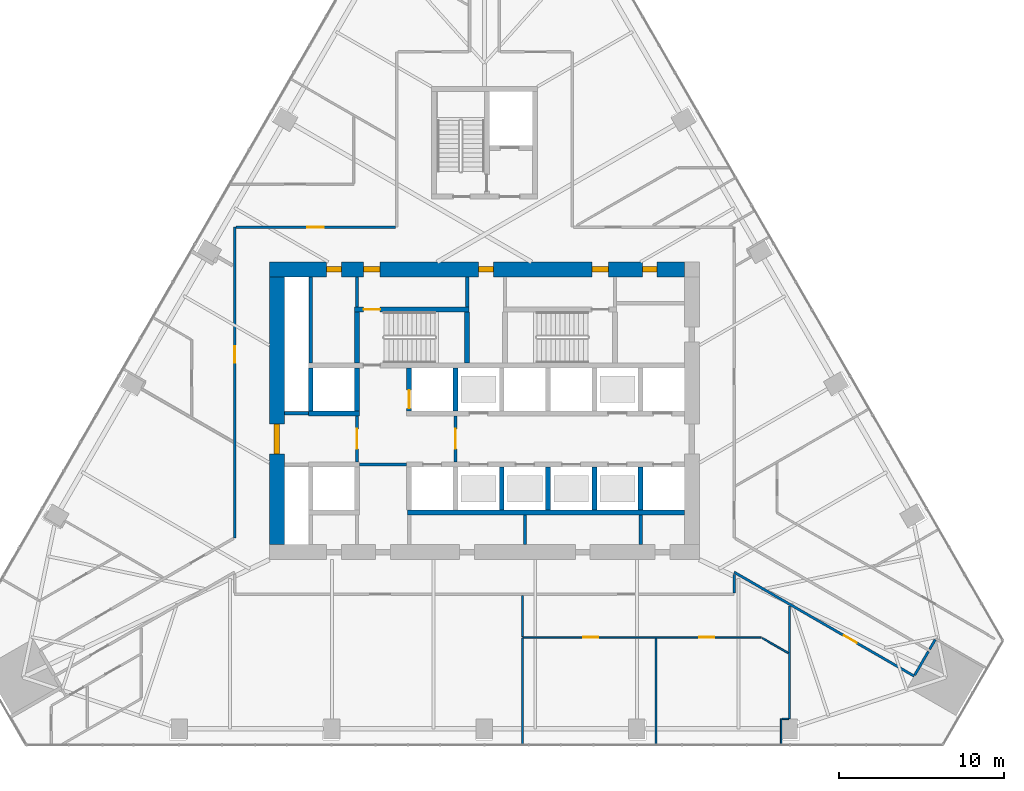
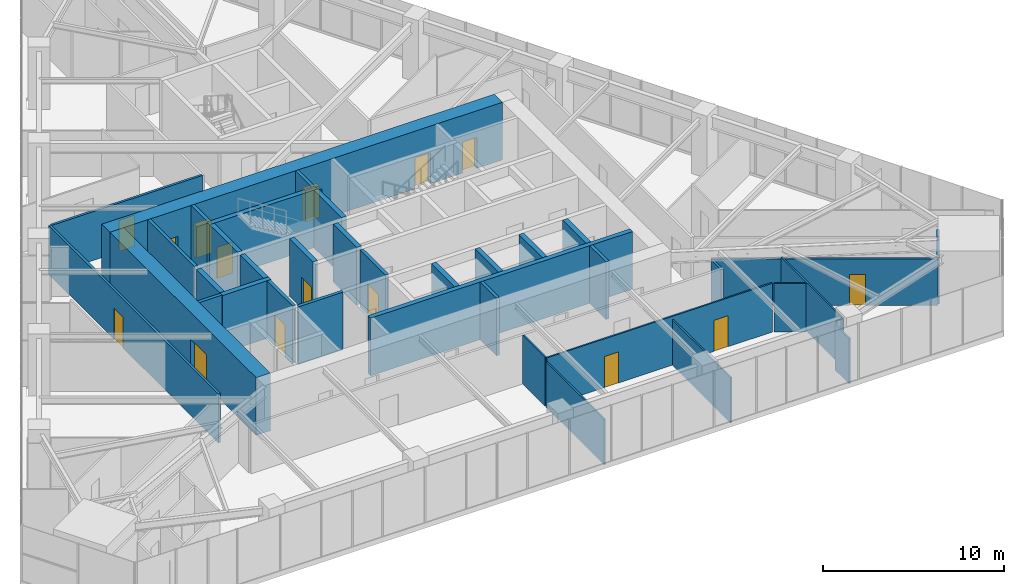
# One storey, part 14 of 19: 38 walls, 15 doors, 15 openings.
"""IFC4 building model written with IfcOpenShell, lengths in metres."""

from ifc_helpers import new_model, si_unit, direction, frame, frame_2d, origin, place, context, subcontext, project, spatial, rectangle, extrude, material, layer, layer_set, type_object, element, fill, save


model = new_model("IFC4")

# Units and contexts
model_context = context("Model", 3, precision=1e-05, world=origin(), true_north=direction((0.0, 1.0)))
body_context = subcontext(model_context, "Body", "Model", "MODEL_VIEW")
ifc_project = project(units=[si_unit("LENGTHUNIT", "METRE"), si_unit("AREAUNIT", "SQUARE_METRE"), si_unit("VOLUMEUNIT", "CUBIC_METRE"), si_unit("PLANEANGLEUNIT", "RADIAN"), si_unit("MASSUNIT", "GRAM", prefix="KILO")], contexts=[model_context])

# Site, building, storey
site_placement = place(None, origin())
site = spatial("IfcSite", under=ifc_project, at=site_placement, CompositionType="ELEMENT")
building_placement = place(site_placement, origin())
building = spatial("IfcBuilding", under=site, at=building_placement, Name="Firuza Gate Tower and Library", CompositionType="ELEMENT")
storey_placement = place(building_placement, frame((0.0, 0.0, 136.60009765625)))
storey = spatial("IfcBuildingStorey", under=building, at=storey_placement, Name="L31", CompositionType="ELEMENT", Elevation=136.60009765625)

# Walls
ifc_material_1 = material(Name="Plasterboard on steel studs", Category="steel")
ifc_layer_1 = layer(ifc_material_1, 0.199951171875)
ifc_layer_set_1 = layer_set([ifc_layer_1], Name="Core partition 200 EI 120")
wall_type_1 = type_object("IfcWallType", Name="Core partition 200 EI 120", PredefinedType="PARTITIONING", material=ifc_layer_set_1)
wall_1_placement = place(storey_placement, frame((62.89990234375, 74.85009765625, 0.0), z_axis=(0.0, 0.0, 1.0), x_axis=(1.0, 0.0, 0.0)))
element("IfcWall", 1, at=wall_1_placement, inside=storey, type_object=wall_type_1, Name="Core partition L31 3", PredefinedType="PARTITIONING", context=body_context, shape_type="SweptSolid", body=[
    extrude(rectangle(XDim=1.4501953125, YDim=0.199951171875, at=frame_2d((0.72509765625, 0.0))), origin(), (0.0, 0.0, 1.0), 3.89990234375),
])
wall_2_placement = place(storey_placement, frame((64.5, 77.89990234375, 0.0), z_axis=(0.0, 0.0, 1.0), x_axis=(0.0, 1.0, 0.0)))
element("IfcWall", 2, at=wall_2_placement, inside=storey, type_object=wall_type_1, Name="Core partition L31 6", PredefinedType="PARTITIONING", context=body_context, shape_type="SweptSolid", body=[
    extrude(rectangle(XDim=5.2001953125, YDim=0.199951171875, at=frame_2d((2.60009765625, 0.0))), origin(), (0.0, 0.0, 1.0), 3.89990234375),
])
for number, where, z_axis, x_axis, name in (
    (3, (77.449951171875, 66.89990234375, 0.0), (0.0, 0.0, 1.0), (0.0, 1.0, 0.0), "Core partition L31 14"),
    (4, (84.449951171875, 66.89990234375, 0.0), (0.0, 0.0, 1.0), (0.0, 1.0, 0.0), "Core partition L31 16"),
):
    element("IfcWall", number, at=place(storey_placement, frame(where, z_axis=z_axis, x_axis=x_axis)), inside=storey, type_object=wall_type_1, Name=name, PredefinedType="PARTITIONING", context=body_context, shape_type="SweptSolid", body=[
        extrude(rectangle(XDim=1.800048828125, YDim=0.199951171875, at=frame_2d((0.89990234375, 0.0))), origin(), (0.0, 0.0, 1.0), 3.89990234375),
    ])
ifc_material_2 = material(Name="Plasterboard on steel studs", Category="steel")
ifc_layer_2 = layer(ifc_material_2, 0.199951171875)
ifc_layer_set_2 = layer_set([ifc_layer_2], Name="Core partition 200 EI 60")
wall_type_2 = type_object("IfcWallType", Name="Core partition 200 EI 60", PredefinedType="PARTITIONING", material=ifc_layer_set_2)
wall_3_placement = place(storey_placement, frame((67.449951171875, 71.75, 0.0), z_axis=(0.0, 0.0, 1.0), x_axis=(1.0, 0.0, 0.0)))
element("IfcWall", 5, at=wall_3_placement, inside=storey, type_object=wall_type_2, Name="Core partition L31 2", PredefinedType="PARTITIONING", context=body_context, shape_type="SweptSolid", body=[
    extrude(rectangle(XDim=2.85009765625, YDim=0.199951171875, at=frame_2d((1.425048828125, 0.0))), origin(), (0.0, 0.0, 1.0), 3.89990234375),
])

# Wall, opening, door
wall_4_placement = place(storey_placement, frame((67.300048828125, 71.89990234375, 0.0), z_axis=(0.0, 0.0, 1.0), x_axis=(0.0, 1.0, 0.0)))
wall_4 = element("IfcWall", 6, at=wall_4_placement, inside=storey, type_object=wall_type_2, Name="Core partition L31 8", PredefinedType="PARTITIONING", context=body_context, shape_type="SweptSolid", body=[
    extrude(rectangle(XDim=2.800048828125, YDim=0.199951171875, at=frame_2d((1.39990234375, 0.0))), origin(), (0.0, 0.0, 1.0), 3.89990234375),
])
opening_1_placement = place(wall_4_placement, frame((0.800048828125, 0.0, 0.0)))
opening_1 = element("IfcOpeningElement", 7, at=opening_1_placement, cuts=wall_4, Name="Opening L31-K21", PredefinedType="OPENING", context=body_context, shape_type="SweptSolid", body=[
    extrude(rectangle(XDim=1.199951171875, YDim=2.10009765625, at=frame_2d((0.60009765625, 1.050048828125))), frame((0.0, 0.10986328125, 0.0), z_axis=(0.0, -1.0, 0.0), x_axis=(1.0, 0.0, 0.0)), (0.0, 0.0, 1.0), 0.219970703125),
])
ifc_material_3 = material(Name="Steel", Category="steel")
door_type_1 = type_object("IfcDoorType", Name="Fire door 1200x2100 FD90S", OperationType="NOTDEFINED", PredefinedType="DOOR", material=ifc_material_3)
door_1_placement = place(opening_1_placement, origin())
door_1 = element("IfcDoor", 8, at=door_1_placement, inside=storey, type_object=door_type_1, Name="Door L31-K21", OperationType="SINGLE_SWING_RIGHT", OverallHeight=2.10009765625, OverallWidth=1.199951171875, PredefinedType="DOOR", context=body_context, shape_type="SweptSolid", body=[
    extrude(rectangle(XDim=1.199951171875, YDim=2.10009765625, at=frame_2d((0.60009765625, 1.050048828125))), frame((0.0, 0.02490234375, 0.0), z_axis=(0.0, -1.0, 0.0), x_axis=(1.0, 0.0, 0.0)), (0.0, 0.0, 1.0), 0.050048828125),
])
fill(opening_1, door_1)

# Wall
wall_5_placement = place(storey_placement, frame((67.300048828125, 81.280029296875, 0.0), z_axis=(0.0, 0.0, 1.0), x_axis=(0.0, 1.0, 0.0)))
element("IfcWall", 9, at=wall_5_placement, inside=storey, type_object=wall_type_2, Name="Core partition L31 9", PredefinedType="PARTITIONING", context=body_context, shape_type="SweptSolid", body=[
    extrude(rectangle(XDim=1.820068359375, YDim=0.199951171875, at=frame_2d((0.91015625, 0.0))), origin(), (0.0, 0.0, 1.0), 3.89990234375),
])

# Wall, opening, door
wall_6_placement = place(storey_placement, frame((73.25, 71.89990234375, 0.0), z_axis=(0.0, 0.0, 1.0), x_axis=(0.0, 1.0, 0.0)))
wall_6 = element("IfcWall", 10, at=wall_6_placement, inside=storey, type_object=wall_type_2, Name="Core partition L31 11", PredefinedType="PARTITIONING", context=body_context, shape_type="SweptSolid", body=[
    extrude(rectangle(XDim=2.800048828125, YDim=0.199951171875, at=frame_2d((1.39990234375, 0.0))), origin(), (0.0, 0.0, 1.0), 3.89990234375),
])
opening_2_placement = place(wall_6_placement, frame((0.800048828125, 0.0, 0.0)))
opening_2 = element("IfcOpeningElement", 11, at=opening_2_placement, cuts=wall_6, Name="Opening L31-K20", PredefinedType="OPENING", context=body_context, shape_type="SweptSolid", body=[
    extrude(rectangle(XDim=1.199951171875, YDim=2.10009765625, at=frame_2d((0.60009765625, 1.050048828125))), frame((0.0, 0.10986328125, 0.0), z_axis=(0.0, -1.0, 0.0), x_axis=(1.0, 0.0, 0.0)), (0.0, 0.0, 1.0), 0.219970703125),
])
door_2_placement = place(opening_2_placement, origin())
door_2 = element("IfcDoor", 12, at=door_2_placement, inside=storey, type_object=door_type_1, Name="Door L31-K20", OperationType="SINGLE_SWING_LEFT", OverallHeight=2.10009765625, OverallWidth=1.199951171875, PredefinedType="DOOR", context=body_context, shape_type="SweptSolid", body=[
    extrude(rectangle(XDim=1.199951171875, YDim=2.10009765625, at=frame_2d((0.60009765625, 1.050048828125))), frame((0.0, 0.02490234375, 0.0), z_axis=(0.0, -1.0, 0.0), x_axis=(1.0, 0.0, 0.0)), (0.0, 0.0, 1.0), 0.050048828125),
])
fill(opening_2, door_2)

# Walls
wall_7_placement = place(storey_placement, frame((73.9599609375, 81.280029296875, 0.0), z_axis=(0.0, 0.0, 1.0), x_axis=(0.0, 1.0, 0.0)))
element("IfcWall", 13, at=wall_7_placement, inside=storey, type_object=wall_type_2, Name="Core partition L31 12", PredefinedType="PARTITIONING", context=body_context, shape_type="SweptSolid", body=[
    extrude(rectangle(XDim=1.820068359375, YDim=0.199951171875, at=frame_2d((0.91015625, 0.0))), origin(), (0.0, 0.0, 1.0), 3.89990234375),
])
ifc_material_4 = material(Name="Concrete C80/95", Category="concrete")
ifc_layer_3 = layer(ifc_material_4, 0.300048828125)
ifc_layer_set_3 = layer_set([ifc_layer_3], Name="Core wall 300 C80/95")
wall_type_3 = type_object("IfcWallType", Name="Core wall 300 C80/95", PredefinedType="SHEAR", material=ifc_layer_set_3)
wall_8_placement = place(storey_placement, frame((70.35009765625, 68.85009765625, 0.0), z_axis=(0.0, 0.0, 1.0), x_axis=(1.0, 0.0, 0.0)))
element("IfcWall", 14, at=wall_8_placement, inside=storey, type_object=wall_type_3, Name="Core wall L31 6", PredefinedType="SHEAR", context=body_context, shape_type="SweptSolid", body=[
    extrude(rectangle(XDim=16.75, YDim=0.300048828125, at=frame_2d((8.375, 0.0))), origin(), (0.0, 0.0, 1.0), 3.89990234375),
])
wall_9_placement = place(storey_placement, frame((64.35009765625, 74.85009765625, 0.0), z_axis=(0.0, 0.0, 1.0), x_axis=(1.0, 0.0, 0.0)))
element("IfcWall", 15, at=wall_9_placement, inside=storey, type_object=wall_type_3, Name="Core wall L31 9", PredefinedType="SHEAR", context=body_context, shape_type="SweptSolid", body=[
    extrude(rectangle(XDim=3.099853515625, YDim=0.300048828125, at=frame_2d((1.5498046875, 0.0))), origin(), (0.0, 0.0, 1.0), 3.89990234375),
])
for number, where, z_axis, x_axis, name in (
    (16, (64.5, 75.0, 0.0), (0.0, 0.0, 1.0), (0.0, 1.0, 0.0), "Core wall L31 12"),
    (17, (67.300048828125, 75.0, 0.0), (0.0, 0.0, 1.0), (0.0, 1.0, 0.0), "Core wall L31 14"),
):
    element("IfcWall", number, at=place(storey_placement, frame(where, z_axis=z_axis, x_axis=x_axis)), inside=storey, type_object=wall_type_3, Name=name, PredefinedType="SHEAR", context=body_context, shape_type="SweptSolid", body=[
        extrude(rectangle(XDim=2.60009765625, YDim=0.300048828125, at=frame_2d((1.300048828125, 0.0))), origin(), (0.0, 0.0, 1.0), 3.89990234375),
    ])

# Wall, opening, door
wall_10_placement = place(storey_placement, frame((70.449951171875, 75.0, 0.0), z_axis=(0.0, 0.0, 1.0), x_axis=(0.0, 1.0, 0.0)))
wall_10 = element("IfcWall", 18, at=wall_10_placement, inside=storey, type_object=wall_type_3, Name="Core wall L31 16", PredefinedType="SHEAR", context=body_context, shape_type="SweptSolid", body=[
    extrude(rectangle(XDim=2.60009765625, YDim=0.300048828125, at=frame_2d((1.300048828125, 0.0))), origin(), (0.0, 0.0, 1.0), 3.89990234375),
])
opening_3_placement = place(wall_10_placement, frame((0.14990234375, 0.0, 0.0)))
opening_3 = element("IfcOpeningElement", 19, at=opening_3_placement, cuts=wall_10, Name="Opening LD-FF2-L31", PredefinedType="OPENING", context=body_context, shape_type="SweptSolid", body=[
    extrude(rectangle(XDim=1.10009765625, YDim=2.10009765625, at=frame_2d((0.550048828125, 1.050048828125))), frame((0.0, 0.16015625, 0.0), z_axis=(0.0, -1.0, 0.0), x_axis=(1.0, 0.0, 0.0)), (0.0, 0.0, 1.0), 0.320068359375),
])
ifc_material_5 = material(Name="Stainless steel", Category="steel")
door_type_2 = type_object("IfcDoorType", Name="Lift landing door 1100x2100", OperationType="DOUBLE_DOOR_SLIDING", PredefinedType="DOOR", material=ifc_material_5)
door_3_placement = place(opening_3_placement, origin())
door_3 = element("IfcDoor", 20, at=door_3_placement, inside=storey, type_object=door_type_2, Name="Landing door FF2 L31", OperationType="DOUBLE_DOOR_SLIDING", OverallHeight=2.10009765625, OverallWidth=1.10009765625, PredefinedType="DOOR", context=body_context, shape_type="SweptSolid", body=[
    extrude(rectangle(XDim=1.10009765625, YDim=2.10009765625, at=frame_2d((0.550048828125, 1.050048828125))), frame((0.0, 0.02490234375, 0.0), z_axis=(0.0, -1.0, 0.0), x_axis=(1.0, 0.0, 0.0)), (0.0, 0.0, 1.0), 0.050048828125),
])
fill(opening_3, door_3)

# Walls
for number, where, z_axis, x_axis, name in (
    (21, (73.25, 75.0, 0.0), (0.0, 0.0, 1.0), (0.0, 1.0, 0.0), "Core wall L31 18"),
    (22, (76.050048828125, 69.0, 0.0), (0.0, 0.0, 1.0), (0.0, 1.0, 0.0), "Core wall L31 19"),
    (23, (78.85009765625, 69.0, 0.0), (0.0, 0.0, 1.0), (0.0, 1.0, 0.0), "Core wall L31 21"),
    (24, (81.64990234375, 69.0, 0.0), (0.0, 0.0, 1.0), (0.0, 1.0, 0.0), "Core wall L31 23"),
    (25, (84.449951171875, 69.0, 0.0), (0.0, 0.0, 1.0), (0.0, 1.0, 0.0), "Core wall L31 25"),
):
    element("IfcWall", number, at=place(storey_placement, frame(where, z_axis=z_axis, x_axis=x_axis)), inside=storey, type_object=wall_type_3, Name=name, PredefinedType="SHEAR", context=body_context, shape_type="SweptSolid", body=[
        extrude(rectangle(XDim=2.60009765625, YDim=0.300048828125, at=frame_2d((1.300048828125, 0.0))), origin(), (0.0, 0.0, 1.0), 3.89990234375),
    ])

# Wall, opening, door
wall_11_placement = place(storey_placement, frame((67.14990234375, 81.1298828125, 0.0), z_axis=(0.0, 0.0, 1.0), x_axis=(1.0, 0.0, 0.0)))
wall_11 = element("IfcWall", 26, at=wall_11_placement, inside=storey, type_object=wall_type_3, Name="Core wall L31 28", PredefinedType="SHEAR", context=body_context, shape_type="SweptSolid", body=[
    extrude(rectangle(XDim=6.91015625, YDim=0.300048828125, at=frame_2d((3.455078125, 0.0))), origin(), (0.0, 0.0, 1.0), 3.89990234375),
])
opening_4_placement = place(wall_11_placement, frame((0.544921875, 0.0, 0.0)))
opening_4 = element("IfcOpeningElement", 27, at=opening_4_placement, cuts=wall_11, Name="Opening L31-K13", PredefinedType="OPENING", context=body_context, shape_type="SweptSolid", body=[
    extrude(rectangle(XDim=1.0, YDim=2.10009765625, at=frame_2d((0.5, 1.050048828125))), frame((0.0, 0.16015625, 0.0), z_axis=(0.0, -1.0, 0.0), x_axis=(1.0, 0.0, 0.0)), (0.0, 0.0, 1.0), 0.320068359375),
])
ifc_material_6 = material(Name="Steel", Category="steel")
door_type_3 = type_object("IfcDoorType", Name="Fire door 1000x2100 FD90", OperationType="NOTDEFINED", PredefinedType="DOOR", material=ifc_material_6)
door_4_placement = place(opening_4_placement, origin())
door_4 = element("IfcDoor", 28, at=door_4_placement, inside=storey, type_object=door_type_3, Name="Door L31-K13", OperationType="SINGLE_SWING_RIGHT", OverallHeight=2.10009765625, OverallWidth=1.0, PredefinedType="DOOR", context=body_context, shape_type="SweptSolid", body=[
    extrude(rectangle(XDim=1.0, YDim=2.10009765625, at=frame_2d((0.5, 1.050048828125))), frame((0.0, 0.02490234375, 0.0), z_axis=(0.0, -1.0, 0.0), x_axis=(1.0, 0.0, 0.0)), (0.0, 0.0, 1.0), 0.050048828125),
])
fill(opening_4, door_4)

# Walls
for number, where, z_axis, x_axis, name in (
    (29, (67.300048828125, 77.89990234375, 0.0), (0.0, 0.0, 1.0), (0.0, 1.0, 0.0), "Core wall L31 30"),
    (30, (73.9599609375, 77.89990234375, 0.0), (0.0, 0.0, 1.0), (0.0, 1.0, 0.0), "Core wall L31 31"),
):
    element("IfcWall", number, at=place(storey_placement, frame(where, z_axis=z_axis, x_axis=x_axis)), inside=storey, type_object=wall_type_3, Name=name, PredefinedType="SHEAR", context=body_context, shape_type="SweptSolid", body=[
        extrude(rectangle(XDim=3.080078125, YDim=0.300048828125, at=frame_2d((1.5400390625, 0.0))), origin(), (0.0, 0.0, 1.0), 3.89990234375),
    ])

# Wall, openings, doors
ifc_material_7 = material(Name="Concrete C80/95", Category="concrete")
ifc_layer_4 = layer(ifc_material_7, 0.89990234375)
ifc_layer_set_4 = layer_set([ifc_layer_4], Name="Core wall 900 C80/95")
wall_type_4 = type_object("IfcWallType", Name="Core wall 900 C80/95", PredefinedType="SHEAR", material=ifc_layer_set_4)
wall_12_placement = place(storey_placement, frame((62.0, 83.550048828125, 0.0), z_axis=(0.0, 0.0, 1.0), x_axis=(1.0, 0.0, 0.0)))
wall_12 = element("IfcWall", 31, at=wall_12_placement, inside=storey, type_object=wall_type_4, Name="Core wall L31 2", PredefinedType="SHEAR", context=body_context, shape_type="SweptSolid", body=[
    extrude(rectangle(XDim=25.10009765625, YDim=0.89990234375, at=frame_2d((12.550048828125, 0.0))), origin(), (0.0, 0.0, 1.0), 3.89990234375),
])
opening_5_placement = place(wall_12_placement, frame((5.695068359375, 0.0, 0.0)))
opening_5 = element("IfcOpeningElement", 32, at=opening_5_placement, cuts=wall_12, Name="Opening L31-K14", PredefinedType="OPENING", context=body_context, shape_type="SweptSolid", body=[
    extrude(rectangle(XDim=1.0, YDim=2.10009765625, at=frame_2d((0.5, 1.050048828125))), frame((0.0, 0.4599609375, 0.0), z_axis=(0.0, -1.0, 0.0), x_axis=(1.0, 0.0, 0.0)), (0.0, 0.0, 1.0), 0.919921875),
])
opening_6_placement = place(wall_12_placement, frame((19.5048828125, 0.0, 0.0)))
opening_6 = element("IfcOpeningElement", 33, at=opening_6_placement, cuts=wall_12, Name="Opening L31-K16", PredefinedType="OPENING", context=body_context, shape_type="SweptSolid", body=[
    extrude(rectangle(XDim=1.0, YDim=2.10009765625, at=frame_2d((0.5, 1.050048828125))), frame((0.0, 0.4599609375, 0.0), z_axis=(0.0, -1.0, 0.0), x_axis=(1.0, 0.0, 0.0)), (0.0, 0.0, 1.0), 0.919921875),
])
opening_7_placement = place(wall_12_placement, frame((3.449951171875, 0.0, 0.0)))
opening_7 = element("IfcOpeningElement", 34, at=opening_7_placement, cuts=wall_12, Name="Opening L31-K29", PredefinedType="OPENING", context=body_context, shape_type="SweptSolid", body=[
    extrude(rectangle(XDim=0.89990234375, YDim=2.10009765625, at=frame_2d((0.449951171875, 1.050048828125))), frame((0.0, 0.4599609375, 0.0), z_axis=(0.0, -1.0, 0.0), x_axis=(1.0, 0.0, 0.0)), (0.0, 0.0, 1.0), 0.919921875),
])
opening_8_placement = place(wall_12_placement, frame((12.64990234375, 0.0, 0.0)))
opening_8 = element("IfcOpeningElement", 35, at=opening_8_placement, cuts=wall_12, Name="Opening L31-K30", PredefinedType="OPENING", context=body_context, shape_type="SweptSolid", body=[
    extrude(rectangle(XDim=0.89990234375, YDim=2.10009765625, at=frame_2d((0.449951171875, 1.050048828125))), frame((0.0, 0.4599609375, 0.0), z_axis=(0.0, -1.0, 0.0), x_axis=(1.0, 0.0, 0.0)), (0.0, 0.0, 1.0), 0.919921875),
])
opening_9_placement = place(wall_12_placement, frame((22.550048828125, 0.0, 0.0)))
opening_9 = element("IfcOpeningElement", 36, at=opening_9_placement, cuts=wall_12, Name="Opening L31-K32", PredefinedType="OPENING", context=body_context, shape_type="SweptSolid", body=[
    extrude(rectangle(XDim=0.89990234375, YDim=2.10009765625, at=frame_2d((0.449951171875, 1.050048828125))), frame((0.0, 0.4599609375, 0.0), z_axis=(0.0, -1.0, 0.0), x_axis=(1.0, 0.0, 0.0)), (0.0, 0.0, 1.0), 0.919921875),
])
door_5_placement = place(opening_5_placement, origin())
door_5 = element("IfcDoor", 37, at=door_5_placement, inside=storey, type_object=door_type_3, Name="Door L31-K14", OperationType="SINGLE_SWING_LEFT", OverallHeight=2.10009765625, OverallWidth=1.0, PredefinedType="DOOR", context=body_context, shape_type="SweptSolid", body=[
    extrude(rectangle(XDim=1.0, YDim=2.10009765625, at=frame_2d((0.5, 1.050048828125))), frame((0.0, 0.169921875, 0.0), z_axis=(0.0, -1.0, 0.0), x_axis=(1.0, 0.0, 0.0)), (0.0, 0.0, 1.0), 0.33984375),
])
fill(opening_5, door_5)
door_6_placement = place(opening_6_placement, origin())
door_6 = element("IfcDoor", 38, at=door_6_placement, inside=storey, type_object=door_type_3, Name="Door L31-K16", OperationType="SINGLE_SWING_LEFT", OverallHeight=2.10009765625, OverallWidth=1.0, PredefinedType="DOOR", context=body_context, shape_type="SweptSolid", body=[
    extrude(rectangle(XDim=1.0, YDim=2.10009765625, at=frame_2d((0.5, 1.050048828125))), frame((0.0, 0.169921875, 0.0), z_axis=(0.0, -1.0, 0.0), x_axis=(1.0, 0.0, 0.0)), (0.0, 0.0, 1.0), 0.33984375),
])
fill(opening_6, door_6)
ifc_material_8 = material(Name="Steel", Category="steel")
door_type_4 = type_object("IfcDoorType", Name="Fire door 900x2100 FD30S", OperationType="NOTDEFINED", PredefinedType="DOOR", material=ifc_material_8)
door_7_placement = place(opening_7_placement, origin())
door_7 = element("IfcDoor", 39, at=door_7_placement, inside=storey, type_object=door_type_4, Name="Door L31-K29", OperationType="SINGLE_SWING_RIGHT", OverallHeight=2.10009765625, OverallWidth=0.89990234375, PredefinedType="DOOR", context=body_context, shape_type="SweptSolid", body=[
    extrude(rectangle(XDim=0.89990234375, YDim=2.10009765625, at=frame_2d((0.449951171875, 1.050048828125))), frame((0.0, 0.169921875, 0.0), z_axis=(0.0, -1.0, 0.0), x_axis=(1.0, 0.0, 0.0)), (0.0, 0.0, 1.0), 0.33984375),
])
fill(opening_7, door_7)
door_8_placement = place(opening_8_placement, origin())
door_8 = element("IfcDoor", 40, at=door_8_placement, inside=storey, type_object=door_type_4, Name="Door L31-K30", OperationType="SINGLE_SWING_LEFT", OverallHeight=2.10009765625, OverallWidth=0.89990234375, PredefinedType="DOOR", context=body_context, shape_type="SweptSolid", body=[
    extrude(rectangle(XDim=0.89990234375, YDim=2.10009765625, at=frame_2d((0.449951171875, 1.050048828125))), frame((0.0, 0.169921875, 0.0), z_axis=(0.0, -1.0, 0.0), x_axis=(1.0, 0.0, 0.0)), (0.0, 0.0, 1.0), 0.33984375),
])
fill(opening_8, door_8)
door_9_placement = place(opening_9_placement, origin())
door_9 = element("IfcDoor", 41, at=door_9_placement, inside=storey, type_object=door_type_4, Name="Door L31-K32", OperationType="SINGLE_SWING_LEFT", OverallHeight=2.10009765625, OverallWidth=0.89990234375, PredefinedType="DOOR", context=body_context, shape_type="SweptSolid", body=[
    extrude(rectangle(XDim=0.89990234375, YDim=2.10009765625, at=frame_2d((0.449951171875, 1.050048828125))), frame((0.0, 0.169921875, 0.0), z_axis=(0.0, -1.0, 0.0), x_axis=(1.0, 0.0, 0.0)), (0.0, 0.0, 1.0), 0.33984375),
])
fill(opening_9, door_9)

# Wall, opening, door
wall_13_placement = place(storey_placement, frame((62.449951171875, 66.89990234375, 0.0), z_axis=(0.0, 0.0, 1.0), x_axis=(0.0, 1.0, 0.0)))
wall_13 = element("IfcWall", 42, at=wall_13_placement, inside=storey, type_object=wall_type_4, Name="Core wall L31 3", PredefinedType="SHEAR", context=body_context, shape_type="SweptSolid", body=[
    extrude(rectangle(XDim=16.2001953125, YDim=0.89990234375, at=frame_2d((8.10009765625, 0.0))), origin(), (0.0, 0.0, 1.0), 3.89990234375),
])
opening_10_placement = place(wall_13_placement, frame((5.5, 0.0, 0.0)))
opening_10 = element("IfcOpeningElement", 43, at=opening_10_placement, cuts=wall_13, Name="Opening L31-K22", PredefinedType="OPENING", context=body_context, shape_type="SweptSolid", body=[
    extrude(rectangle(XDim=1.800048828125, YDim=2.10009765625, at=frame_2d((0.89990234375, 1.050048828125))), frame((0.0, 0.4599609375, 0.0), z_axis=(0.0, -1.0, 0.0), x_axis=(1.0, 0.0, 0.0)), (0.0, 0.0, 1.0), 0.919921875),
])
ifc_material_9 = material(Name="Steel", Category="steel")
door_type_5 = type_object("IfcDoorType", Name="Fire door 1800x2100 FD30S", OperationType="NOTDEFINED", PredefinedType="DOOR", material=ifc_material_9)
door_10_placement = place(opening_10_placement, origin())
door_10 = element("IfcDoor", 44, at=door_10_placement, inside=storey, type_object=door_type_5, Name="Door L31-K22", OperationType="SINGLE_SWING_LEFT", OverallHeight=2.10009765625, OverallWidth=1.800048828125, PredefinedType="DOOR", context=body_context, shape_type="SweptSolid", body=[
    extrude(rectangle(XDim=1.800048828125, YDim=2.10009765625, at=frame_2d((0.89990234375, 1.050048828125))), frame((0.0, 0.169921875, 0.0), z_axis=(0.0, -1.0, 0.0), x_axis=(1.0, 0.0, 0.0)), (0.0, 0.0, 1.0), 0.33984375),
])
fill(opening_10, door_10)

ifc_material_10 = material(Name="Gypsum board partition")
ifc_layer_5 = layer(ifc_material_10, 0.14990234375)
ifc_layer_set_5 = layer_set([ifc_layer_5], Name="Corridor wall 150 double board on steel studs")
wall_type_5 = type_object("IfcWallType", Name="Corridor wall 150 double board on steel studs", PredefinedType="PARTITIONING", material=ifc_layer_set_5)
wall_14_placement = place(storey_placement, frame((59.9755859375, 86.10009765625, 0.0), z_axis=(0.0, 0.0, 1.0), x_axis=(1.0, 0.0, 0.0)))
wall_14 = element("IfcWall", 45, at=wall_14_placement, inside=storey, type_object=wall_type_5, Name="f:L31:w003", PredefinedType="PARTITIONING", context=body_context, shape_type="SweptSolid", body=[
    extrude(rectangle(XDim=9.6494140625, YDim=0.14990234375, at=frame_2d((4.82470703125, 0.0))), origin(), (0.0, 0.0, 1.0), 3.2998046875),
])
opening_11_placement = place(wall_14_placement, frame((4.32470703125, 0.0, 0.0)))
opening_11 = element("IfcOpeningElement", 46, at=opening_11_placement, cuts=wall_14, Name="Opening L31-05", PredefinedType="OPENING", context=body_context, shape_type="SweptSolid", body=[
    extrude(rectangle(XDim=1.0, YDim=2.10009765625, at=frame_2d((0.5, 1.050048828125))), frame((0.0, 0.0849609375, 0.0), z_axis=(0.0, -1.0, 0.0), x_axis=(1.0, 0.0, 0.0)), (0.0, 0.0, 1.0), 0.169921875),
])
ifc_material_11 = material(Name="Steel door and timber leaf", Category="steel")
door_type_6 = type_object("IfcDoorType", Name="Fire door 1000 x 2100 steel frame, timber leaf", OperationType="NOTDEFINED", PredefinedType="DOOR", material=ifc_material_11)
door_11_placement = place(opening_11_placement, origin())
door_11 = element("IfcDoor", 47, at=door_11_placement, inside=storey, type_object=door_type_6, Name="f:L31:d005", OperationType="SINGLE_SWING_RIGHT", OverallHeight=2.10009765625, OverallWidth=1.0, PredefinedType="DOOR", context=body_context, shape_type="SweptSolid", body=[
    extrude(rectangle(XDim=1.0, YDim=2.10009765625, at=frame_2d((0.5, 1.050048828125))), frame((0.0, 0.02490234375, 0.0), z_axis=(0.0, -1.0, 0.0), x_axis=(1.0, 0.0, 0.0)), (0.0, 0.0, 1.0), 0.050048828125),
])
fill(opening_11, door_11)

# Walls
wall_15_placement = place(storey_placement, frame((101.02587890625, 59.02197265625, 0.0), z_axis=(0.0, 0.0, 1.0), x_axis=(0.499991515992, 0.866030301974, 0.0)))
element("IfcWall", 48, at=wall_15_placement, inside=storey, type_object=wall_type_5, Name="f:L31:w025", PredefinedType="PARTITIONING", context=body_context, shape_type="SweptSolid", body=[
    extrude(rectangle(XDim=1.6494140625, YDim=0.14990234375, at=frame_2d((0.82470703125, 0.0))), origin(), (0.0, 0.0, 1.0), 3.14697265625),
])
wall_16_placement = place(storey_placement, frame((90.10009765625, 63.97509765625, 0.0), z_axis=(0.0, 0.0, 1.0), x_axis=(0.0, 1.0, 0.0)))
element("IfcWall", 49, at=wall_16_placement, inside=storey, type_object=wall_type_5, Name="f:L31:w033", PredefinedType="PARTITIONING", context=body_context, shape_type="SweptSolid", body=[
    extrude(rectangle(XDim=1.131103515625, YDim=0.14990234375, at=frame_2d((0.5654296875, 0.0))), origin(), (0.0, 0.0, 1.0), 3.14697265625),
])

# Wall, opening, door
wall_17_placement = place(storey_placement, frame((59.89990234375, 67.3212890625, 0.0), z_axis=(0.0, 0.0, 1.0), x_axis=(0.0, 1.0, 0.0)))
wall_17 = element("IfcWall", 50, at=wall_17_placement, inside=storey, type_object=wall_type_5, Name="f:L31:w046", PredefinedType="PARTITIONING", context=body_context, shape_type="SweptSolid", body=[
    extrude(rectangle(XDim=18.7783203125, YDim=0.14990234375, at=frame_2d((9.38916015625, 0.0))), origin(), (0.0, 0.0, 1.0), 3.2998046875),
])
opening_12_placement = place(wall_17_placement, frame((10.572021484375, 0.0, 0.0)))
opening_12 = element("IfcOpeningElement", 51, at=opening_12_placement, cuts=wall_17, Name="Opening L31-24", PredefinedType="OPENING", context=body_context, shape_type="SweptSolid", body=[
    extrude(rectangle(XDim=1.0, YDim=2.10009765625, at=frame_2d((0.5, 1.050048828125))), frame((0.0, 0.0849609375, 0.0), z_axis=(0.0, -1.0, 0.0), x_axis=(1.0, 0.0, 0.0)), (0.0, 0.0, 1.0), 0.169921875),
])
door_12_placement = place(opening_12_placement, origin())
door_12 = element("IfcDoor", 52, at=door_12_placement, inside=storey, type_object=door_type_6, Name="f:L31:d024", OperationType="SINGLE_SWING_LEFT", OverallHeight=2.10009765625, OverallWidth=1.0, PredefinedType="DOOR", context=body_context, shape_type="SweptSolid", body=[
    extrude(rectangle(XDim=1.0, YDim=2.10009765625, at=frame_2d((0.5, 1.050048828125))), frame((0.0, 0.02490234375, 0.0), z_axis=(0.0, -1.0, 0.0), x_axis=(1.0, 0.0, 0.0)), (0.0, 0.0, 1.0), 0.050048828125),
])
fill(opening_12, door_12)

wall_18_placement = place(storey_placement, frame((100.98779296875, 58.956787109375, 0.0), z_axis=(0.0, 0.0, 1.0), x_axis=(-0.866021305353, 0.500007098624, 0.0)))
wall_18 = element("IfcWall", 53, at=wall_18_placement, inside=storey, type_object=wall_type_5, Name="f:L31:w064", PredefinedType="PARTITIONING", context=body_context, shape_type="SweptSolid", body=[
    extrude(rectangle(XDim=12.572021484375, YDim=0.14990234375, at=frame_2d((6.2861328125, 0.0))), origin(), (0.0, 0.0, 1.0), 3.14697265625),
])
opening_13_placement = place(wall_18_placement, frame((4.005615234375, 0.0, 0.0)))
opening_13 = element("IfcOpeningElement", 54, at=opening_13_placement, cuts=wall_18, Name="Opening L31-29", PredefinedType="OPENING", context=body_context, shape_type="SweptSolid", body=[
    extrude(rectangle(XDim=0.89990234375, YDim=2.10009765625, at=frame_2d((0.449951171875, 1.050048828125))), frame((0.0, 0.0849609375, 0.0), z_axis=(0.0, -1.0, 0.0), x_axis=(1.0, 0.0, 0.0)), (0.0, 0.0, 1.0), 0.169921875),
])
ifc_material_12 = material(Name="Steel door and timber leaf", Category="steel")
door_type_7 = type_object("IfcDoorType", Name="Fire door 900 x 2100 steel frame, timber leaf", OperationType="NOTDEFINED", PredefinedType="DOOR", material=ifc_material_12)
door_13_placement = place(opening_13_placement, origin())
door_13 = element("IfcDoor", 55, at=door_13_placement, inside=storey, type_object=door_type_7, Name="f:L31:d029", OperationType="SINGLE_SWING_LEFT", OverallHeight=2.10009765625, OverallWidth=0.89990234375, PredefinedType="DOOR", context=body_context, shape_type="SweptSolid", body=[
    extrude(rectangle(XDim=0.89990234375, YDim=2.10009765625, at=frame_2d((0.449951171875, 1.050048828125))), frame((0.0, 0.02490234375, 0.0), z_axis=(0.0, -1.0, 0.0), x_axis=(1.0, 0.0, 0.0)), (0.0, 0.0, 1.0), 0.050048828125),
])
fill(opening_13, door_13)

# Walls
wall_19_placement = place(storey_placement, frame((101.925537109375, 60.580322265625, 0.0), z_axis=(0.0, 0.0, 1.0), x_axis=(0.50015088144, 0.865938274818, 0.0)))
element("IfcWall", 56, at=wall_19_placement, inside=storey, type_object=wall_type_5, Name="f:L31:w076", PredefinedType="PARTITIONING", context=body_context, shape_type="SweptSolid", body=[
    extrude(rectangle(XDim=0.674072265625, YDim=0.14990234375, at=frame_2d((0.3369140625, 0.0))), origin(), (0.0, 0.0, 1.0), 3.2998046875),
])
ifc_material_13 = material(Name="Gypsum board partition")
ifc_layer_6 = layer(ifc_material_13, 0.10009765625)
ifc_layer_set_6 = layer_set([ifc_layer_6], Name="Partition 100 gypsum board on steel studs")
wall_type_6 = type_object("IfcWallType", Name="Partition 100 gypsum board on steel studs", PredefinedType="PARTITIONING", material=ifc_layer_set_6)
wall_20_placement = place(storey_placement, frame((92.996826171875, 56.367919921875, 0.0), z_axis=(0.0, 0.0, 1.0), x_axis=(1.0, 0.0, 0.0)))
element("IfcWall", 57, at=wall_20_placement, inside=storey, type_object=wall_type_6, Name="f:L31:w000", PredefinedType="PARTITIONING", context=body_context, shape_type="SweptSolid", body=[
    extrude(rectangle(XDim=0.39892578125, YDim=0.10009765625, at=frame_2d((0.199462890625, 0.0))), origin(), (0.0, 0.0, 1.0), 3.2998046875),
])

# Wall, openings, doors
wall_21_placement = place(storey_placement, frame((77.305908203125, 61.300048828125, 0.0), z_axis=(0.0, 0.0, 1.0), x_axis=(1.0, 0.0, 0.0)))
wall_21 = element("IfcWall", 58, at=wall_21_placement, inside=storey, type_object=wall_type_6, Name="f:L31:w001", PredefinedType="PARTITIONING", context=body_context, shape_type="SweptSolid", body=[
    extrude(rectangle(XDim=14.423095703125, YDim=0.10009765625, at=frame_2d((7.21142578125, 0.0))), origin(), (0.0, 0.0, 1.0), 3.2998046875),
])
opening_14_placement = place(wall_21_placement, frame((3.6865234375, 0.0, 0.0)))
opening_14 = element("IfcOpeningElement", 59, at=opening_14_placement, cuts=wall_21, Name="Opening L31-01", PredefinedType="OPENING", context=body_context, shape_type="SweptSolid", body=[
    extrude(rectangle(XDim=0.89990234375, YDim=2.10009765625, at=frame_2d((0.449951171875, 1.050048828125))), frame((0.0, 0.06005859375, 0.0), z_axis=(0.0, -1.0, 0.0), x_axis=(1.0, 0.0, 0.0)), (0.0, 0.0, 1.0), 0.1201171875),
])
opening_15_placement = place(wall_21_placement, frame((10.6953125, 0.0, 0.0)))
opening_15 = element("IfcOpeningElement", 60, at=opening_15_placement, cuts=wall_21, Name="Opening L31-02", PredefinedType="OPENING", context=body_context, shape_type="SweptSolid", body=[
    extrude(rectangle(XDim=0.89990234375, YDim=2.10009765625, at=frame_2d((0.449951171875, 1.050048828125))), frame((0.0, 0.06005859375, 0.0), z_axis=(0.0, -1.0, 0.0), x_axis=(1.0, 0.0, 0.0)), (0.0, 0.0, 1.0), 0.1201171875),
])
ifc_material_14 = material(Name="Timber door", Category="wood")
door_type_8 = type_object("IfcDoorType", Name="Door 900 x 2100 timber leaf", OperationType="NOTDEFINED", PredefinedType="DOOR", material=ifc_material_14)
door_14_placement = place(opening_14_placement, origin())
door_14 = element("IfcDoor", 61, at=door_14_placement, inside=storey, type_object=door_type_8, Name="f:L31:d001", OperationType="SINGLE_SWING_LEFT", OverallHeight=2.10009765625, OverallWidth=0.89990234375, PredefinedType="DOOR", context=body_context, shape_type="SweptSolid", body=[
    extrude(rectangle(XDim=0.89990234375, YDim=2.10009765625, at=frame_2d((0.449951171875, 1.050048828125))), frame((0.0, 0.02490234375, 0.0), z_axis=(0.0, -1.0, 0.0), x_axis=(1.0, 0.0, 0.0)), (0.0, 0.0, 1.0), 0.050048828125),
])
fill(opening_14, door_14)
door_15_placement = place(opening_15_placement, origin())
door_15 = element("IfcDoor", 62, at=door_15_placement, inside=storey, type_object=door_type_8, Name="f:L31:d002", OperationType="SINGLE_SWING_RIGHT", OverallHeight=2.10009765625, OverallWidth=0.89990234375, PredefinedType="DOOR", context=body_context, shape_type="SweptSolid", body=[
    extrude(rectangle(XDim=0.89990234375, YDim=2.10009765625, at=frame_2d((0.449951171875, 1.050048828125))), frame((0.0, 0.02490234375, 0.0), z_axis=(0.0, -1.0, 0.0), x_axis=(1.0, 0.0, 0.0)), (0.0, 0.0, 1.0), 0.050048828125),
])
fill(opening_15, door_15)

# Walls
wall_22_placement = place(storey_placement, frame((93.446044921875, 56.36865234375, 0.0), z_axis=(0.0, 0.0, 1.0), x_axis=(0.0, 1.0, 0.0)))
element("IfcWall", 63, at=wall_22_placement, inside=storey, type_object=wall_type_6, Name="f:L31:w030", PredefinedType="PARTITIONING", context=body_context, shape_type="SweptSolid", body=[
    extrude(rectangle(XDim=6.825439453125, YDim=0.10009765625, at=frame_2d((3.41259765625, 0.0))), origin(), (0.0, 0.0, 1.0), 3.2998046875),
])
wall_23_placement = place(storey_placement, frame((92.946044921875, 54.80810546875, 0.0), z_axis=(0.0, 0.0, 1.0), x_axis=(0.0, 1.0, 0.0)))
element("IfcWall", 64, at=wall_23_placement, inside=storey, type_object=wall_type_6, Name="f:L31:w031", PredefinedType="PARTITIONING", context=body_context, shape_type="SweptSolid", body=[
    extrude(rectangle(XDim=1.5595703125, YDim=0.10009765625, at=frame_2d((0.77978515625, 0.0))), origin(), (0.0, 0.0, 1.0), 3.06494140625),
])
for number, where, z_axis, x_axis, name in (
    (65, (85.3759765625, 54.80810546875, 0.0), (0.0, 0.0, 1.0), (0.0, 1.0, 0.0), "f:L31:w035"),
    (66, (77.305908203125, 54.80810546875, 0.0), (0.0, 0.0, 1.0), (0.0, 1.0, 0.0), "f:L31:w037"),
):
    element("IfcWall", number, at=place(storey_placement, frame(where, z_axis=z_axis, x_axis=x_axis)), inside=storey, type_object=wall_type_6, Name=name, PredefinedType="PARTITIONING", context=body_context, shape_type="SweptSolid", body=[
        extrude(rectangle(XDim=6.44189453125, YDim=0.10009765625, at=frame_2d((3.220947265625, 0.0))), origin(), (0.0, 0.0, 1.0), 3.06494140625),
    ])
wall_24_placement = place(storey_placement, frame((93.370361328125, 60.3525390625, 0.0), z_axis=(0.0, 0.0, 1.0), x_axis=(-0.866058764138, 0.49994221372, 0.0)))
element("IfcWall", 67, at=wall_24_placement, inside=storey, type_object=wall_type_6, Name="f:L31:w065", PredefinedType="PARTITIONING", context=body_context, shape_type="SweptSolid", body=[
    extrude(rectangle(XDim=1.795166015625, YDim=0.10009765625, at=frame_2d((0.8974609375, 0.0))), origin(), (0.0, 0.0, 1.0), 3.2998046875),
])
wall_25_placement = place(storey_placement, frame((77.305908203125, 61.35009765625, 0.0), z_axis=(0.0, 0.0, 1.0), x_axis=(0.0, 1.0, 0.0)))
element("IfcWall", 68, at=wall_25_placement, inside=storey, type_object=wall_type_6, Name="f:L31:w072", PredefinedType="PARTITIONING", context=body_context, shape_type="SweptSolid", body=[
    extrude(rectangle(XDim=2.474853515625, YDim=0.10009765625, at=frame_2d((1.2373046875, 0.0))), origin(), (0.0, 0.0, 1.0), 3.2998046875),
])

save(model, "model.ifc")
